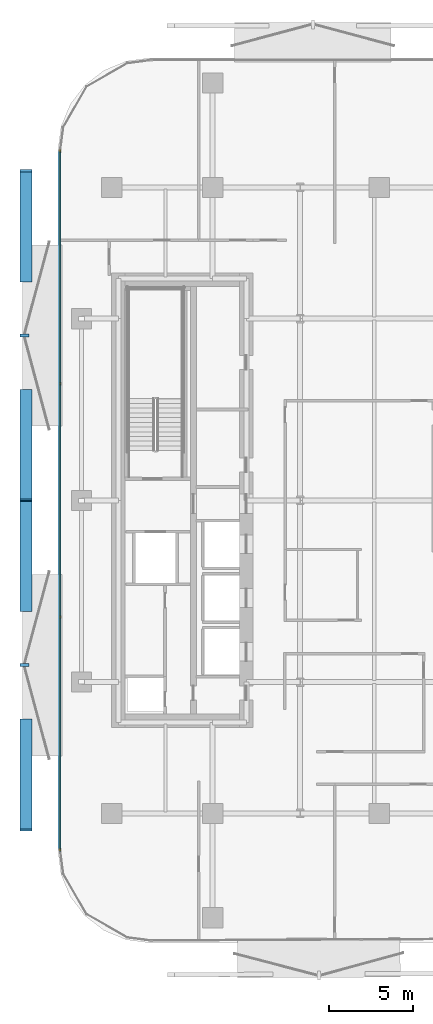
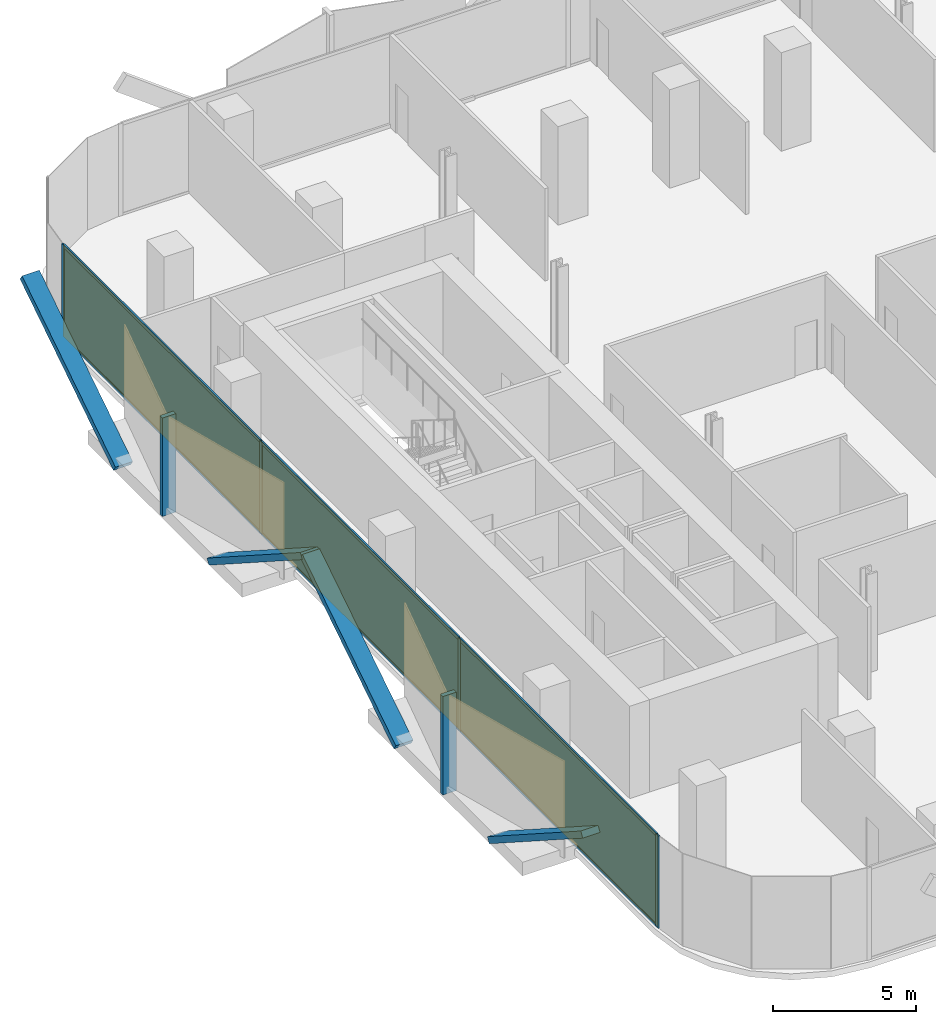
# One storey, part 9 of 16: 16 members, 3 plates, 1 curtain wall.
"""IFC4 building model written with IfcOpenShell, lengths in metres."""

from ifc_helpers import new_model, si_unit, direction, frame, frame_2d, origin, origin_2d, place, context, subcontext, project, spatial, rectangle, extrude, material, layer, layer_set, material_profile, profile_set, type_object, element, aggregate, save


model = new_model("IFC4")

# Units and contexts
model_context = context("Model", 3, precision=1e-05, world=origin(), true_north=direction((0.0, 1.0)))
body_context = subcontext(model_context, "Body", "Model", "MODEL_VIEW")
ifc_project = project(units=[si_unit("LENGTHUNIT", "METRE"), si_unit("AREAUNIT", "SQUARE_METRE"), si_unit("VOLUMEUNIT", "CUBIC_METRE"), si_unit("PLANEANGLEUNIT", "RADIAN"), si_unit("MASSUNIT", "GRAM", prefix="KILO")], contexts=[model_context])

# Member
ifc_material_1 = material(Name="Anodised Bronze Aluminium 6063-T6", Category="aluminium")
ifc_material_profile_1 = material_profile(ifc_material_1, rectangle(XDim=0.260009765625, YDim=0.699951171875, at=origin_2d()))
ifc_profile_set_1 = profile_set([ifc_material_profile_1], Name="Anodised Bronze Aluminium 6063-T6")
member_type_1 = type_object("IfcMemberType", Name="Bronze Diamond Solar-Screen Lattice Rib BDL-700", PredefinedType="MULLION", material=ifc_profile_set_1)
site_placement = place(None, origin())
building_placement = place(site_placement, origin())
storey_placement = place(building_placement, frame((0.0, 0.0, 139.39990234375)))
member_1_placement = place(storey_placement, frame((-25.5, -6.5302734375, -0.1298828125), z_axis=(0.0, 0.841066075866, 0.540932395062), x_axis=(0.0, -0.540932395062, 0.841066075866)))
member_1 = element("IfcMember", 1, at=member_1_placement, type_object=member_type_1, Name="L32 Bronze Diamond Solar Screen Lattice Rib 203A", PredefinedType="MULLION", context=body_context, shape_type="SweptSolid", body=[
    extrude(rectangle(XDim=0.260009765625, YDim=0.699951171875, at=origin_2d()), origin(), (0.0, 0.0, 1.0), 7.76416015625),
])

member_2_placement = place(storey_placement, frame((-25.5, -13.060546875, -0.1298828125), z_axis=(0.0, -0.841066075866, 0.540932395062), x_axis=(0.0, 0.540932395062, 0.841066075866)))
member_2 = element("IfcMember", 2, at=member_2_placement, type_object=member_type_1, Name="L32 Bronze Diamond Solar Screen Lattice Rib 203B", PredefinedType="MULLION", context=body_context, shape_type="SweptSolid", body=[
    extrude(rectangle(XDim=0.260009765625, YDim=0.699951171875, at=origin_2d()), origin(), (0.0, 0.0, 1.0), 7.76416015625),
])

member_3_placement = place(storey_placement, frame((-25.5, 13.060546875, -0.1298828125), z_axis=(0.0, 0.841066075866, 0.540932395062), x_axis=(0.0, -0.540932395062, 0.841066075866)))
member_3 = element("IfcMember", 3, at=member_3_placement, type_object=member_type_1, Name="L32 Bronze Diamond Solar Screen Lattice Rib 204A", PredefinedType="MULLION", context=body_context, shape_type="SweptSolid", body=[
    extrude(rectangle(XDim=0.260009765625, YDim=0.699951171875, at=origin_2d()), origin(), (0.0, 0.0, 1.0), 7.76416015625),
])

member_4_placement = place(storey_placement, frame((-25.5, 6.5302734375, -0.1298828125), z_axis=(0.0, -0.841066075866, 0.540932395062), x_axis=(0.0, 0.540932395062, 0.841066075866)))
member_4 = element("IfcMember", 4, at=member_4_placement, type_object=member_type_1, Name="L32 Bronze Diamond Solar Screen Lattice Rib 204B", PredefinedType="MULLION", context=body_context, shape_type="SweptSolid", body=[
    extrude(rectangle(XDim=0.260009765625, YDim=0.699951171875, at=origin_2d()), origin(), (0.0, 0.0, 1.0), 7.76416015625),
])

ifc_material_2 = material(Name="Anodised Bronze Aluminium 6063-T6", Category="aluminium")
ifc_material_profile_2 = material_profile(ifc_material_2, rectangle(XDim=0.179931640625, YDim=0.5400390625, at=origin_2d()))
ifc_profile_set_2 = profile_set([ifc_material_profile_2], Name="Anodised Bronze Aluminium 6063-T6")
member_type_2 = type_object("IfcMemberType", Name="Bronze Solar-Screen Vertical Fold Fin BSF-540", PredefinedType="MULLION", material=ifc_profile_set_2)
member_5_placement = place(storey_placement, frame((-25.580078125, -9.79541015625, -0.1298828125), z_axis=(0.0, 0.0, 1.0), x_axis=(0.0, 1.0, 0.0)))
member_5 = element("IfcMember", 5, at=member_5_placement, type_object=member_type_2, Name="L32 Bronze Solar Screen Vertical Fin 203", PredefinedType="MULLION", context=body_context, shape_type="SweptSolid", body=[
    extrude(rectangle(XDim=0.179931640625, YDim=0.5400390625, at=origin_2d()), origin(), (0.0, 0.0, 1.0), 4.199951171875),
])

member_6_placement = place(storey_placement, frame((-25.580078125, 9.79541015625, -0.1298828125), z_axis=(0.0, 0.0, 1.0), x_axis=(0.0, 1.0, 0.0)))
member_6 = element("IfcMember", 6, at=member_6_placement, type_object=member_type_2, Name="L32 Bronze Solar Screen Vertical Fin 204", PredefinedType="MULLION", context=body_context, shape_type="SweptSolid", body=[
    extrude(rectangle(XDim=0.179931640625, YDim=0.5400390625, at=origin_2d()), origin(), (0.0, 0.0, 1.0), 4.199951171875),
])

ifc_material_3 = material(Name="Anodised Bronze Aluminium 6063-T6", Category="aluminium")
ifc_material_profile_3 = material_profile(ifc_material_3, rectangle(XDim=0.06494140625, YDim=0.175048828125, at=origin_2d()))
ifc_profile_set_3 = profile_set([ifc_material_profile_3], Name="Anodised Bronze Aluminium 6063-T6")
member_type_3 = type_object("IfcMemberType", Name="CW-Z2 Mullion 65x175", PredefinedType="MULLION", material=ifc_profile_set_3)
member_7_placement = place(storey_placement, frame((-23.4599609375, -20.75830078125, 0.0), z_axis=(0.0, 0.0, 1.0), x_axis=(-1.0, 0.0, 0.0)))
member_7 = element("IfcMember", 7, at=member_7_placement, type_object=member_type_3, Name="CW-Z2 mullion 1", PredefinedType="MULLION", context=body_context, shape_type="SweptSolid", body=[
    extrude(rectangle(XDim=0.06494140625, YDim=0.175048828125, at=origin_2d()), origin(), (0.0, 0.0, 1.0), 3.940185546875),
])

member_8_placement = place(storey_placement, frame((-23.4599609375, -6.93017578125, 0.0), z_axis=(0.0, 0.0, 1.0), x_axis=(-1.0, 0.0, 0.0)))
member_8 = element("IfcMember", 8, at=member_8_placement, type_object=member_type_3, Name="CW-Z2 mullion 2", PredefinedType="MULLION", context=body_context, shape_type="SweptSolid", body=[
    extrude(rectangle(XDim=0.06494140625, YDim=0.175048828125, at=origin_2d()), origin(), (0.0, 0.0, 1.0), 3.940185546875),
])

member_9_placement = place(storey_placement, frame((-23.4599609375, 6.93017578125, 0.0), z_axis=(0.0, 0.0, 1.0), x_axis=(-1.0, 0.0, 0.0)))
member_9 = element("IfcMember", 9, at=member_9_placement, type_object=member_type_3, Name="CW-Z2 mullion 3", PredefinedType="MULLION", context=body_context, shape_type="SweptSolid", body=[
    extrude(rectangle(XDim=0.06494140625, YDim=0.175048828125, at=origin_2d()), origin(), (0.0, 0.0, 1.0), 3.940185546875),
])

member_10_placement = place(storey_placement, frame((-23.4599609375, 20.75830078125, 0.0), z_axis=(0.0, 0.0, 1.0), x_axis=(-1.0, 0.0, 0.0)))
member_10 = element("IfcMember", 10, at=member_10_placement, type_object=member_type_3, Name="CW-Z2 mullion 4", PredefinedType="MULLION", context=body_context, shape_type="SweptSolid", body=[
    extrude(rectangle(XDim=0.06494140625, YDim=0.175048828125, at=origin_2d()), origin(), (0.0, 0.0, 1.0), 3.940185546875),
])

ifc_material_4 = material(Name="Anodised Bronze Aluminium 6063-T6", Category="aluminium")
ifc_material_profile_4 = material_profile(ifc_material_4, rectangle(XDim=0.06494140625, YDim=0.135009765625, at=origin_2d()))
ifc_profile_set_4 = profile_set([ifc_material_profile_4], Name="Anodised Bronze Aluminium 6063-T6")
member_type_4 = type_object("IfcMemberType", Name="CW-Z2 Transom 65x135", PredefinedType="USERDEFINED", material=ifc_profile_set_4)
member_11_placement = place(storey_placement, frame((-23.4599609375, -20.725830078125, 0.03271484375), z_axis=(0.0, 1.0, 0.0), x_axis=(-1.0, 0.0, 0.0)))
member_11 = element("IfcMember", 11, at=member_11_placement, type_object=member_type_4, Name="CW-Z2 transom 1.1", ObjectType="TRANSOM", PredefinedType="USERDEFINED", context=body_context, shape_type="SweptSolid", body=[
    extrude(rectangle(XDim=0.06494140625, YDim=0.135009765625, at=origin_2d()), origin(), (0.0, 0.0, 1.0), 13.76318359375),
])

member_12_placement = place(storey_placement, frame((-23.4599609375, -20.725830078125, 3.90771484375), z_axis=(0.0, 1.0, 0.0), x_axis=(-1.0, 0.0, 0.0)))
member_12 = element("IfcMember", 12, at=member_12_placement, type_object=member_type_4, Name="CW-Z2 transom 1.2", ObjectType="TRANSOM", PredefinedType="USERDEFINED", context=body_context, shape_type="SweptSolid", body=[
    extrude(rectangle(XDim=0.06494140625, YDim=0.135009765625, at=origin_2d()), origin(), (0.0, 0.0, 1.0), 13.76318359375),
])

member_13_placement = place(storey_placement, frame((-23.4599609375, -6.897705078125, 0.03271484375), z_axis=(0.0, 1.0, 0.0), x_axis=(-1.0, 0.0, 0.0)))
member_13 = element("IfcMember", 13, at=member_13_placement, type_object=member_type_4, Name="CW-Z2 transom 2.1", ObjectType="TRANSOM", PredefinedType="USERDEFINED", context=body_context, shape_type="SweptSolid", body=[
    extrude(rectangle(XDim=0.06494140625, YDim=0.135009765625, at=origin_2d()), origin(), (0.0, 0.0, 1.0), 13.79541015625),
])

member_14_placement = place(storey_placement, frame((-23.4599609375, -6.897705078125, 3.90771484375), z_axis=(0.0, 1.0, 0.0), x_axis=(-1.0, 0.0, 0.0)))
member_14 = element("IfcMember", 14, at=member_14_placement, type_object=member_type_4, Name="CW-Z2 transom 2.2", ObjectType="TRANSOM", PredefinedType="USERDEFINED", context=body_context, shape_type="SweptSolid", body=[
    extrude(rectangle(XDim=0.06494140625, YDim=0.135009765625, at=origin_2d()), origin(), (0.0, 0.0, 1.0), 13.79541015625),
])

member_15_placement = place(storey_placement, frame((-23.4599609375, 6.962646484375, 0.03271484375), z_axis=(0.0, 1.0, 0.0), x_axis=(-1.0, 0.0, 0.0)))
member_15 = element("IfcMember", 15, at=member_15_placement, type_object=member_type_4, Name="CW-Z2 transom 3.1", ObjectType="TRANSOM", PredefinedType="USERDEFINED", context=body_context, shape_type="SweptSolid", body=[
    extrude(rectangle(XDim=0.06494140625, YDim=0.135009765625, at=origin_2d()), origin(), (0.0, 0.0, 1.0), 13.76318359375),
])

member_16_placement = place(storey_placement, frame((-23.4599609375, 6.962646484375, 3.90771484375), z_axis=(0.0, 1.0, 0.0), x_axis=(-1.0, 0.0, 0.0)))
member_16 = element("IfcMember", 16, at=member_16_placement, type_object=member_type_4, Name="CW-Z2 transom 3.2", ObjectType="TRANSOM", PredefinedType="USERDEFINED", context=body_context, shape_type="SweptSolid", body=[
    extrude(rectangle(XDim=0.06494140625, YDim=0.135009765625, at=origin_2d()), origin(), (0.0, 0.0, 1.0), 13.76318359375),
])

# Plate
ifc_material_5 = material(Name="Low-E Solar Control Laminated Glass", Category="glass")
ifc_layer_1 = layer(ifc_material_5, 0.028076171875, Name="Low-E Solar Control Laminated Glass")
ifc_layer_set_1 = layer_set([ifc_layer_1], Name="Low-E Solar Control Laminated Glass")
plate_type = type_object("IfcPlateType", Name="CW-Z2 Low-E Double Glazed Panel 28mm", PredefinedType="CURTAIN_PANEL", material=ifc_layer_set_1)
plate_1_placement = place(storey_placement, frame((-23.4599609375, -13.84423828125, 0.065185546875), z_axis=(0.0, 0.0, 1.0), x_axis=(0.0, 1.0, 0.0)))
plate_1 = element("IfcPlate", 17, at=plate_1_placement, type_object=plate_type, Name="CW-Z2 panel 1.1", PredefinedType="CURTAIN_PANEL", context=body_context, shape_type="SweptSolid", body=[
    extrude(rectangle(XDim=13.762939453125, YDim=0.028076171875, at=origin_2d()), origin(), (0.0, 0.0, 1.0), 3.81005859375),
])

plate_2_placement = place(storey_placement, frame((-23.4599609375, 0.0, 0.065185546875), z_axis=(0.0, 0.0, 1.0), x_axis=(0.0, 1.0, 0.0)))
plate_2 = element("IfcPlate", 18, at=plate_2_placement, type_object=plate_type, Name="CW-Z2 panel 2.1", PredefinedType="CURTAIN_PANEL", context=body_context, shape_type="SweptSolid", body=[
    extrude(rectangle(XDim=13.795654296875, YDim=0.028076171875, at=origin_2d()), origin(), (0.0, 0.0, 1.0), 3.81005859375),
])

plate_3_placement = place(storey_placement, frame((-23.4599609375, 13.84423828125, 0.065185546875), z_axis=(0.0, 0.0, 1.0), x_axis=(0.0, 1.0, 0.0)))
plate_3 = element("IfcPlate", 19, at=plate_3_placement, type_object=plate_type, Name="CW-Z2 panel 3.1", PredefinedType="CURTAIN_PANEL", context=body_context, shape_type="SweptSolid", body=[
    extrude(rectangle(XDim=13.762939453125, YDim=0.028076171875, at=origin_2d()), origin(), (0.0, 0.0, 1.0), 3.81005859375),
])

# Site, building, storey
site = spatial("IfcSite", under=ifc_project, at=site_placement, CompositionType="ELEMENT")
building = spatial("IfcBuilding", under=site, at=building_placement, Name="Khairoan Windgate Tower", CompositionType="ELEMENT")
storey = spatial("IfcBuildingStorey", under=building, at=storey_placement, Name="L32", CompositionType="ELEMENT", Elevation=139.39990234375)

# Curtain wall
ifc_material_6 = material(Name="Anodised Bronze Aluminium 6063-T6", Category="aluminium")
ifc_layer_2 = layer(ifc_material_6, 0.175048828125, Name="Anodised Bronze Aluminium 6063-T6")
ifc_layer_set_2 = layer_set([ifc_layer_2], Name="Anodised Bronze Aluminium 6063-T6")
curtain_wall_type = type_object("IfcCurtainWallType", Name="Mid-Rise Office Unitised Curtain Wall CW-Z2", PredefinedType="NOTDEFINED", material=ifc_layer_set_2)
curtain_wall_placement = place(storey_placement, frame((-23.4599609375, -20.790771484375, 0.0), z_axis=(0.0, 0.0, 1.0), x_axis=(0.0, 1.0, 0.0)))
curtain_wall = element("IfcCurtainWall", 20, at=curtain_wall_placement, inside=storey, type_object=curtain_wall_type, Name="L32 Unitised Curtain Wall 6", PredefinedType="NOTDEFINED", context=body_context, shape_type="SweptSolid", body=[
    extrude(rectangle(XDim=41.58154296875, YDim=0.010009765625, at=frame_2d((20.790771484375, 0.0))), origin(), (0.0, 0.0, 1.0), 3.940185546875),
])

aggregate(curtain_wall, [member_7, member_8, member_9, member_10, member_11, member_12, plate_1, member_13, member_14, plate_2, member_15, member_16, plate_3, member_1, member_2, member_5, member_3, member_4, member_6])

save(model, "model.ifc")
